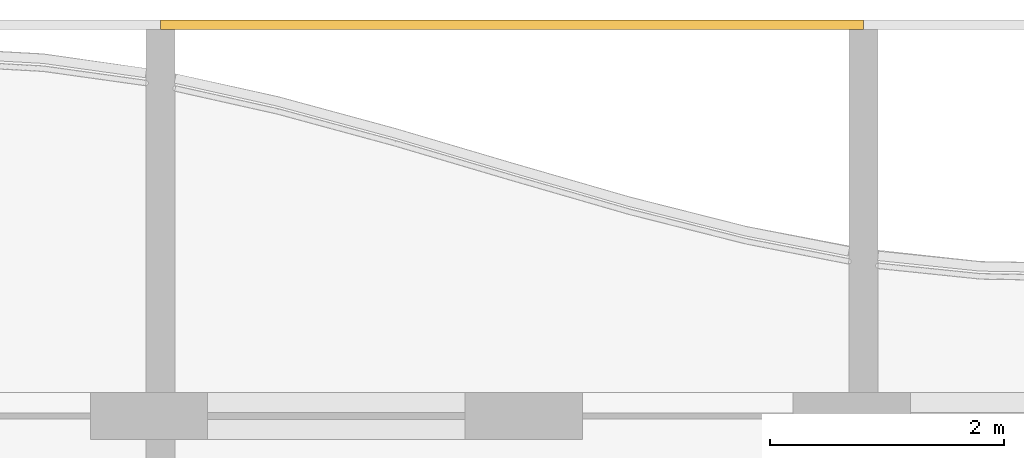
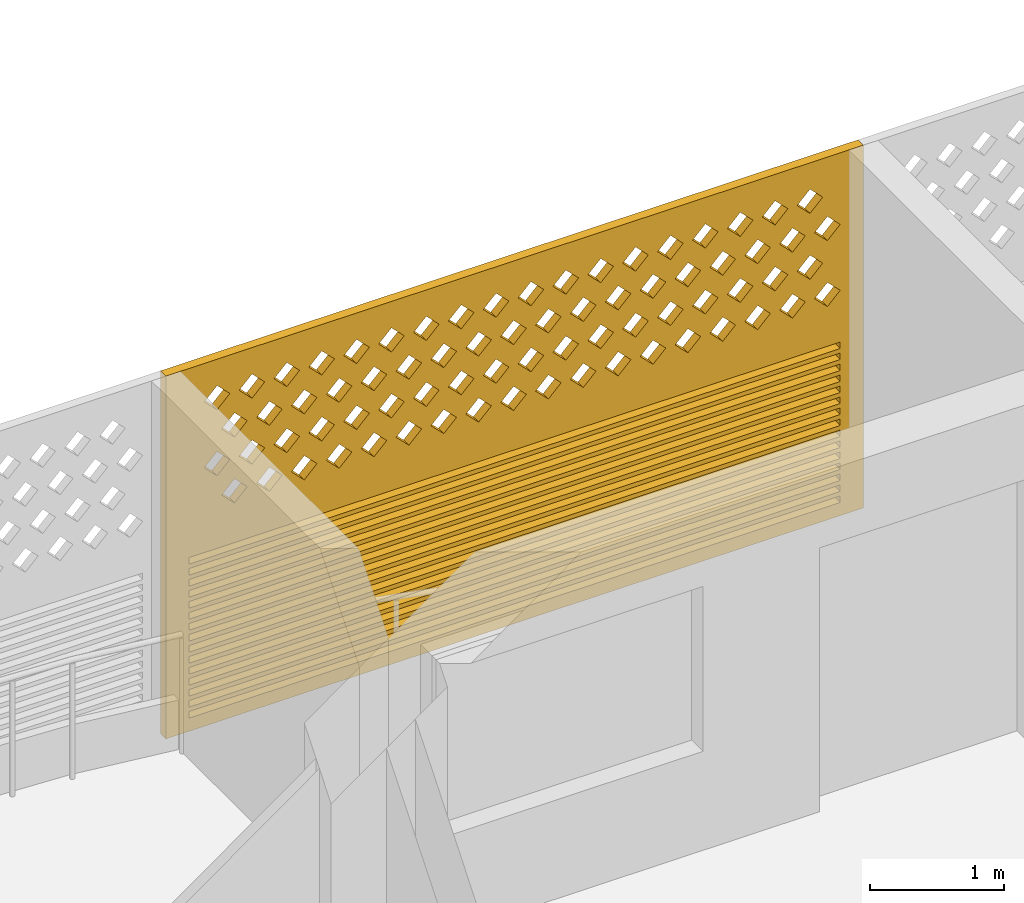
# One storey, part 27 of 29: 1 covering.
"""IFC4 building model written with IfcOpenShell, lengths in metres."""

from ifc_helpers import new_model, si_unit, direction, frame, origin, place, context, subcontext, project, spatial, polyline, outline, extrude, source, transform, mapped, material, material_profile, profile_set, type_object, element, save


model = new_model("IFC4")

# Units and contexts
model_context = context("Model", 3, precision=1e-05, world=origin(), true_north=direction((0.0, 1.0)))
body_context = subcontext(model_context, "Body", "Model", "MODEL_VIEW")
ifc_project = project(units=[si_unit("LENGTHUNIT", "METRE"), si_unit("AREAUNIT", "SQUARE_METRE"), si_unit("VOLUMEUNIT", "CUBIC_METRE"), si_unit("PLANEANGLEUNIT", "RADIAN"), si_unit("MASSUNIT", "GRAM", prefix="KILO")], contexts=[model_context])

# Site, building, storey
site_placement = place(None, origin())
site = spatial("IfcSite", under=ifc_project, at=site_placement, CompositionType="ELEMENT")
building_placement = place(site_placement, origin())
building = spatial("IfcBuilding", under=site, at=building_placement, Name="Poui Terraces", CompositionType="ELEMENT")
storey_placement = place(building_placement, frame((0.0, 0.0, 237.89990234375)))
storey = spatial("IfcBuildingStorey", under=building, at=storey_placement, Name="L66", CompositionType="ELEMENT", Elevation=237.89990234375)

# Covering
ifc_material = material(Name="Terracotta screen", Category="masonry")
ifc_material_profile = material_profile(ifc_material, outline(polyline([(-3.0, -1.64990234375), (3.0, -1.64990234375), (3.0, 1.64990234375), (-3.0, 1.64990234375), (-3.0, -1.64990234375)]), holes=[polyline([(-2.800048828125, 0.39990234375), (-2.68994140625, 0.2900390625), (-2.580078125, 0.39990234375), (-2.68994140625, 0.510009765625), (-2.800048828125, 0.39990234375)]), polyline([(-2.5, 0.39990234375), (-2.389892578125, 0.2900390625), (-2.280029296875, 0.39990234375), (-2.389892578125, 0.510009765625), (-2.5, 0.39990234375)]), polyline([(-2.199951171875, 0.39990234375), (-2.090087890625, 0.2900390625), (-1.97998046875, 0.39990234375), (-2.090087890625, 0.510009765625), (-2.199951171875, 0.39990234375)]), polyline([(-1.89990234375, 0.39990234375), (-1.7900390625, 0.2900390625), (-1.679931640625, 0.39990234375), (-1.7900390625, 0.510009765625), (-1.89990234375, 0.39990234375)]), polyline([(-1.60009765625, 0.39990234375), (-1.489990234375, 0.2900390625), (-1.3798828125, 0.39990234375), (-1.489990234375, 0.510009765625), (-1.60009765625, 0.39990234375)]), polyline([(-1.300048828125, 0.39990234375), (-1.18994140625, 0.2900390625), (-1.080078125, 0.39990234375), (-1.18994140625, 0.510009765625), (-1.300048828125, 0.39990234375)]), polyline([(-1.0, 0.39990234375), (-0.889892578125, 0.2900390625), (-0.780029296875, 0.39990234375), (-0.889892578125, 0.510009765625), (-1.0, 0.39990234375)]), polyline([(-0.699951171875, 0.39990234375), (-0.590087890625, 0.2900390625), (-0.47998046875, 0.39990234375), (-0.590087890625, 0.510009765625), (-0.699951171875, 0.39990234375)]), polyline([(-0.39990234375, 0.39990234375), (-0.2900390625, 0.2900390625), (-0.179931640625, 0.39990234375), (-0.2900390625, 0.510009765625), (-0.39990234375, 0.39990234375)]), polyline([(-0.10009765625, 0.39990234375), (0.010009765625, 0.2900390625), (0.1201171875, 0.39990234375), (0.010009765625, 0.510009765625), (-0.10009765625, 0.39990234375)]), polyline([(0.199951171875, 0.39990234375), (0.31005859375, 0.2900390625), (0.419921875, 0.39990234375), (0.31005859375, 0.510009765625), (0.199951171875, 0.39990234375)]), polyline([(0.5, 0.39990234375), (0.610107421875, 0.2900390625), (0.719970703125, 0.39990234375), (0.610107421875, 0.510009765625), (0.5, 0.39990234375)]), polyline([(0.800048828125, 0.39990234375), (0.909912109375, 0.2900390625), (1.02001953125, 0.39990234375), (0.909912109375, 0.510009765625), (0.800048828125, 0.39990234375)]), polyline([(1.10009765625, 0.39990234375), (1.2099609375, 0.2900390625), (1.320068359375, 0.39990234375), (1.2099609375, 0.510009765625), (1.10009765625, 0.39990234375)]), polyline([(1.39990234375, 0.39990234375), (1.510009765625, 0.2900390625), (1.6201171875, 0.39990234375), (1.510009765625, 0.510009765625), (1.39990234375, 0.39990234375)]), polyline([(1.699951171875, 0.39990234375), (1.81005859375, 0.2900390625), (1.919921875, 0.39990234375), (1.81005859375, 0.510009765625), (1.699951171875, 0.39990234375)]), polyline([(2.0, 0.39990234375), (2.110107421875, 0.2900390625), (2.219970703125, 0.39990234375), (2.110107421875, 0.510009765625), (2.0, 0.39990234375)]), polyline([(2.300048828125, 0.39990234375), (2.409912109375, 0.2900390625), (2.52001953125, 0.39990234375), (2.409912109375, 0.510009765625), (2.300048828125, 0.39990234375)]), polyline([(-2.64990234375, 0.699951171875), (-2.5400390625, 0.590087890625), (-2.429931640625, 0.699951171875), (-2.5400390625, 0.81005859375), (-2.64990234375, 0.699951171875)]), polyline([(-2.35009765625, 0.699951171875), (-2.239990234375, 0.590087890625), (-2.1298828125, 0.699951171875), (-2.239990234375, 0.81005859375), (-2.35009765625, 0.699951171875)]), polyline([(-2.050048828125, 0.699951171875), (-1.93994140625, 0.590087890625), (-1.830078125, 0.699951171875), (-1.93994140625, 0.81005859375), (-2.050048828125, 0.699951171875)]), polyline([(-1.75, 0.699951171875), (-1.639892578125, 0.590087890625), (-1.530029296875, 0.699951171875), (-1.639892578125, 0.81005859375), (-1.75, 0.699951171875)]), polyline([(-1.449951171875, 0.699951171875), (-1.340087890625, 0.590087890625), (-1.22998046875, 0.699951171875), (-1.340087890625, 0.81005859375), (-1.449951171875, 0.699951171875)]), polyline([(-1.14990234375, 0.699951171875), (-1.0400390625, 0.590087890625), (-0.929931640625, 0.699951171875), (-1.0400390625, 0.81005859375), (-1.14990234375, 0.699951171875)]), polyline([(-0.85009765625, 0.699951171875), (-0.739990234375, 0.590087890625), (-0.6298828125, 0.699951171875), (-0.739990234375, 0.81005859375), (-0.85009765625, 0.699951171875)]), polyline([(-0.550048828125, 0.699951171875), (-0.43994140625, 0.590087890625), (-0.330078125, 0.699951171875), (-0.43994140625, 0.81005859375), (-0.550048828125, 0.699951171875)]), polyline([(-0.25, 0.699951171875), (-0.139892578125, 0.590087890625), (-0.030029296875, 0.699951171875), (-0.139892578125, 0.81005859375), (-0.25, 0.699951171875)]), polyline([(0.050048828125, 0.699951171875), (0.159912109375, 0.590087890625), (0.27001953125, 0.699951171875), (0.159912109375, 0.81005859375), (0.050048828125, 0.699951171875)]), polyline([(0.35009765625, 0.699951171875), (0.4599609375, 0.590087890625), (0.570068359375, 0.699951171875), (0.4599609375, 0.81005859375), (0.35009765625, 0.699951171875)]), polyline([(0.64990234375, 0.699951171875), (0.760009765625, 0.590087890625), (0.8701171875, 0.699951171875), (0.760009765625, 0.81005859375), (0.64990234375, 0.699951171875)]), polyline([(0.949951171875, 0.699951171875), (1.06005859375, 0.590087890625), (1.169921875, 0.699951171875), (1.06005859375, 0.81005859375), (0.949951171875, 0.699951171875)]), polyline([(1.25, 0.699951171875), (1.360107421875, 0.590087890625), (1.469970703125, 0.699951171875), (1.360107421875, 0.81005859375), (1.25, 0.699951171875)]), polyline([(1.550048828125, 0.699951171875), (1.659912109375, 0.590087890625), (1.77001953125, 0.699951171875), (1.659912109375, 0.81005859375), (1.550048828125, 0.699951171875)]), polyline([(1.85009765625, 0.699951171875), (1.9599609375, 0.590087890625), (2.070068359375, 0.699951171875), (1.9599609375, 0.81005859375), (1.85009765625, 0.699951171875)]), polyline([(2.14990234375, 0.699951171875), (2.260009765625, 0.590087890625), (2.3701171875, 0.699951171875), (2.260009765625, 0.81005859375), (2.14990234375, 0.699951171875)]), polyline([(2.449951171875, 0.699951171875), (2.56005859375, 0.590087890625), (2.669921875, 0.699951171875), (2.56005859375, 0.81005859375), (2.449951171875, 0.699951171875)]), polyline([(-2.800048828125, 1.0), (-2.68994140625, 0.889892578125), (-2.580078125, 1.0), (-2.68994140625, 1.110107421875), (-2.800048828125, 1.0)]), polyline([(-2.5, 1.0), (-2.389892578125, 0.889892578125), (-2.280029296875, 1.0), (-2.389892578125, 1.110107421875), (-2.5, 1.0)]), polyline([(-2.199951171875, 1.0), (-2.090087890625, 0.889892578125), (-1.97998046875, 1.0), (-2.090087890625, 1.110107421875), (-2.199951171875, 1.0)]), polyline([(-1.89990234375, 1.0), (-1.7900390625, 0.889892578125), (-1.679931640625, 1.0), (-1.7900390625, 1.110107421875), (-1.89990234375, 1.0)]), polyline([(-1.60009765625, 1.0), (-1.489990234375, 0.889892578125), (-1.3798828125, 1.0), (-1.489990234375, 1.110107421875), (-1.60009765625, 1.0)]), polyline([(-1.300048828125, 1.0), (-1.18994140625, 0.889892578125), (-1.080078125, 1.0), (-1.18994140625, 1.110107421875), (-1.300048828125, 1.0)]), polyline([(-1.0, 1.0), (-0.889892578125, 0.889892578125), (-0.780029296875, 1.0), (-0.889892578125, 1.110107421875), (-1.0, 1.0)]), polyline([(-0.699951171875, 1.0), (-0.590087890625, 0.889892578125), (-0.47998046875, 1.0), (-0.590087890625, 1.110107421875), (-0.699951171875, 1.0)]), polyline([(-0.39990234375, 1.0), (-0.2900390625, 0.889892578125), (-0.179931640625, 1.0), (-0.2900390625, 1.110107421875), (-0.39990234375, 1.0)]), polyline([(-0.10009765625, 1.0), (0.010009765625, 0.889892578125), (0.1201171875, 1.0), (0.010009765625, 1.110107421875), (-0.10009765625, 1.0)]), polyline([(0.199951171875, 1.0), (0.31005859375, 0.889892578125), (0.419921875, 1.0), (0.31005859375, 1.110107421875), (0.199951171875, 1.0)]), polyline([(0.5, 1.0), (0.610107421875, 0.889892578125), (0.719970703125, 1.0), (0.610107421875, 1.110107421875), (0.5, 1.0)]), polyline([(0.800048828125, 1.0), (0.909912109375, 0.889892578125), (1.02001953125, 1.0), (0.909912109375, 1.110107421875), (0.800048828125, 1.0)]), polyline([(1.10009765625, 1.0), (1.2099609375, 0.889892578125), (1.320068359375, 1.0), (1.2099609375, 1.110107421875), (1.10009765625, 1.0)]), polyline([(1.39990234375, 1.0), (1.510009765625, 0.889892578125), (1.6201171875, 1.0), (1.510009765625, 1.110107421875), (1.39990234375, 1.0)]), polyline([(1.699951171875, 1.0), (1.81005859375, 0.889892578125), (1.919921875, 1.0), (1.81005859375, 1.110107421875), (1.699951171875, 1.0)]), polyline([(2.0, 1.0), (2.110107421875, 0.889892578125), (2.219970703125, 1.0), (2.110107421875, 1.110107421875), (2.0, 1.0)]), polyline([(2.300048828125, 1.0), (2.409912109375, 0.889892578125), (2.52001953125, 1.0), (2.409912109375, 1.110107421875), (2.300048828125, 1.0)]), polyline([(-2.64990234375, 1.300048828125), (-2.5400390625, 1.18994140625), (-2.429931640625, 1.300048828125), (-2.5400390625, 1.409912109375), (-2.64990234375, 1.300048828125)]), polyline([(-2.35009765625, 1.300048828125), (-2.239990234375, 1.18994140625), (-2.1298828125, 1.300048828125), (-2.239990234375, 1.409912109375), (-2.35009765625, 1.300048828125)]), polyline([(-2.050048828125, 1.300048828125), (-1.93994140625, 1.18994140625), (-1.830078125, 1.300048828125), (-1.93994140625, 1.409912109375), (-2.050048828125, 1.300048828125)]), polyline([(-1.75, 1.300048828125), (-1.639892578125, 1.18994140625), (-1.530029296875, 1.300048828125), (-1.639892578125, 1.409912109375), (-1.75, 1.300048828125)]), polyline([(-1.449951171875, 1.300048828125), (-1.340087890625, 1.18994140625), (-1.22998046875, 1.300048828125), (-1.340087890625, 1.409912109375), (-1.449951171875, 1.300048828125)]), polyline([(-1.14990234375, 1.300048828125), (-1.0400390625, 1.18994140625), (-0.929931640625, 1.300048828125), (-1.0400390625, 1.409912109375), (-1.14990234375, 1.300048828125)]), polyline([(-0.85009765625, 1.300048828125), (-0.739990234375, 1.18994140625), (-0.6298828125, 1.300048828125), (-0.739990234375, 1.409912109375), (-0.85009765625, 1.300048828125)]), polyline([(-0.550048828125, 1.300048828125), (-0.43994140625, 1.18994140625), (-0.330078125, 1.300048828125), (-0.43994140625, 1.409912109375), (-0.550048828125, 1.300048828125)]), polyline([(-0.25, 1.300048828125), (-0.139892578125, 1.18994140625), (-0.030029296875, 1.300048828125), (-0.139892578125, 1.409912109375), (-0.25, 1.300048828125)]), polyline([(0.050048828125, 1.300048828125), (0.159912109375, 1.18994140625), (0.27001953125, 1.300048828125), (0.159912109375, 1.409912109375), (0.050048828125, 1.300048828125)]), polyline([(0.35009765625, 1.300048828125), (0.4599609375, 1.18994140625), (0.570068359375, 1.300048828125), (0.4599609375, 1.409912109375), (0.35009765625, 1.300048828125)]), polyline([(0.64990234375, 1.300048828125), (0.760009765625, 1.18994140625), (0.8701171875, 1.300048828125), (0.760009765625, 1.409912109375), (0.64990234375, 1.300048828125)]), polyline([(0.949951171875, 1.300048828125), (1.06005859375, 1.18994140625), (1.169921875, 1.300048828125), (1.06005859375, 1.409912109375), (0.949951171875, 1.300048828125)]), polyline([(1.25, 1.300048828125), (1.360107421875, 1.18994140625), (1.469970703125, 1.300048828125), (1.360107421875, 1.409912109375), (1.25, 1.300048828125)]), polyline([(1.550048828125, 1.300048828125), (1.659912109375, 1.18994140625), (1.77001953125, 1.300048828125), (1.659912109375, 1.409912109375), (1.550048828125, 1.300048828125)]), polyline([(1.85009765625, 1.300048828125), (1.9599609375, 1.18994140625), (2.070068359375, 1.300048828125), (1.9599609375, 1.409912109375), (1.85009765625, 1.300048828125)]), polyline([(2.14990234375, 1.300048828125), (2.260009765625, 1.18994140625), (2.3701171875, 1.300048828125), (2.260009765625, 1.409912109375), (2.14990234375, 1.300048828125)]), polyline([(2.449951171875, 1.300048828125), (2.56005859375, 1.18994140625), (2.669921875, 1.300048828125), (2.56005859375, 1.409912109375), (2.449951171875, 1.300048828125)]), polyline([(-2.800048828125, -1.530029296875), (2.800048828125, -1.530029296875), (2.800048828125, -1.469970703125), (-2.800048828125, -1.469970703125), (-2.800048828125, -1.530029296875)]), polyline([(-2.800048828125, -1.429931640625), (2.800048828125, -1.429931640625), (2.800048828125, -1.3701171875), (-2.800048828125, -1.3701171875), (-2.800048828125, -1.429931640625)]), polyline([(-2.800048828125, -1.330078125), (2.800048828125, -1.330078125), (2.800048828125, -1.27001953125), (-2.800048828125, -1.27001953125), (-2.800048828125, -1.330078125)]), polyline([(-2.800048828125, -1.22998046875), (2.800048828125, -1.22998046875), (2.800048828125, -1.169921875), (-2.800048828125, -1.169921875), (-2.800048828125, -1.22998046875)]), polyline([(-2.800048828125, -1.1298828125), (2.800048828125, -1.1298828125), (2.800048828125, -1.070068359375), (-2.800048828125, -1.070068359375), (-2.800048828125, -1.1298828125)]), polyline([(-2.800048828125, -1.030029296875), (2.800048828125, -1.030029296875), (2.800048828125, -0.969970703125), (-2.800048828125, -0.969970703125), (-2.800048828125, -1.030029296875)]), polyline([(-2.800048828125, -0.929931640625), (2.800048828125, -0.929931640625), (2.800048828125, -0.8701171875), (-2.800048828125, -0.8701171875), (-2.800048828125, -0.929931640625)]), polyline([(-2.800048828125, -0.830078125), (2.800048828125, -0.830078125), (2.800048828125, -0.77001953125), (-2.800048828125, -0.77001953125), (-2.800048828125, -0.830078125)]), polyline([(-2.800048828125, -0.72998046875), (2.800048828125, -0.72998046875), (2.800048828125, -0.669921875), (-2.800048828125, -0.669921875), (-2.800048828125, -0.72998046875)]), polyline([(-2.800048828125, -0.6298828125), (2.800048828125, -0.6298828125), (2.800048828125, -0.570068359375), (-2.800048828125, -0.570068359375), (-2.800048828125, -0.6298828125)]), polyline([(-2.800048828125, -0.530029296875), (2.800048828125, -0.530029296875), (2.800048828125, -0.469970703125), (-2.800048828125, -0.469970703125), (-2.800048828125, -0.530029296875)]), polyline([(-2.800048828125, -0.429931640625), (2.800048828125, -0.429931640625), (2.800048828125, -0.3701171875), (-2.800048828125, -0.3701171875), (-2.800048828125, -0.429931640625)]), polyline([(-2.800048828125, -0.330078125), (2.800048828125, -0.330078125), (2.800048828125, -0.27001953125), (-2.800048828125, -0.27001953125), (-2.800048828125, -0.330078125)]), polyline([(-2.800048828125, -0.22998046875), (2.800048828125, -0.22998046875), (2.800048828125, -0.169921875), (-2.800048828125, -0.169921875), (-2.800048828125, -0.22998046875)]), polyline([(-2.800048828125, -0.1298828125), (2.800048828125, -0.1298828125), (2.800048828125, -0.070068359375), (-2.800048828125, -0.070068359375), (-2.800048828125, -0.1298828125)])]), Name="TERRACOTTA SCREEN AND JALOUSIE LOUVRE 6000X3300")
ifc_profile_set = profile_set([ifc_material_profile], Name="Terracotta screen")
covering_type = type_object("IfcCoveringType", Name="TERRACOTTA SCREEN AND JALOUSIE LOUVRE 6000X3300", PredefinedType="CLADDING", material=ifc_profile_set)
shared_shape = source(origin(), body_context, "Body", "SweptSolid", [
    extrude(outline(polyline([(-3.0, -1.64990234375), (3.0, -1.64990234375), (3.0, 1.64990234375), (-3.0, 1.64990234375), (-3.0, -1.64990234375)]), holes=[polyline([(-2.800048828125, 0.39990234375), (-2.68994140625, 0.2900390625), (-2.580078125, 0.39990234375), (-2.68994140625, 0.510009765625), (-2.800048828125, 0.39990234375)]), polyline([(-2.5, 0.39990234375), (-2.389892578125, 0.2900390625), (-2.280029296875, 0.39990234375), (-2.389892578125, 0.510009765625), (-2.5, 0.39990234375)]), polyline([(-2.199951171875, 0.39990234375), (-2.090087890625, 0.2900390625), (-1.97998046875, 0.39990234375), (-2.090087890625, 0.510009765625), (-2.199951171875, 0.39990234375)]), polyline([(-1.89990234375, 0.39990234375), (-1.7900390625, 0.2900390625), (-1.679931640625, 0.39990234375), (-1.7900390625, 0.510009765625), (-1.89990234375, 0.39990234375)]), polyline([(-1.60009765625, 0.39990234375), (-1.489990234375, 0.2900390625), (-1.3798828125, 0.39990234375), (-1.489990234375, 0.510009765625), (-1.60009765625, 0.39990234375)]), polyline([(-1.300048828125, 0.39990234375), (-1.18994140625, 0.2900390625), (-1.080078125, 0.39990234375), (-1.18994140625, 0.510009765625), (-1.300048828125, 0.39990234375)]), polyline([(-1.0, 0.39990234375), (-0.889892578125, 0.2900390625), (-0.780029296875, 0.39990234375), (-0.889892578125, 0.510009765625), (-1.0, 0.39990234375)]), polyline([(-0.699951171875, 0.39990234375), (-0.590087890625, 0.2900390625), (-0.47998046875, 0.39990234375), (-0.590087890625, 0.510009765625), (-0.699951171875, 0.39990234375)]), polyline([(-0.39990234375, 0.39990234375), (-0.2900390625, 0.2900390625), (-0.179931640625, 0.39990234375), (-0.2900390625, 0.510009765625), (-0.39990234375, 0.39990234375)]), polyline([(-0.10009765625, 0.39990234375), (0.010009765625, 0.2900390625), (0.1201171875, 0.39990234375), (0.010009765625, 0.510009765625), (-0.10009765625, 0.39990234375)]), polyline([(0.199951171875, 0.39990234375), (0.31005859375, 0.2900390625), (0.419921875, 0.39990234375), (0.31005859375, 0.510009765625), (0.199951171875, 0.39990234375)]), polyline([(0.5, 0.39990234375), (0.610107421875, 0.2900390625), (0.719970703125, 0.39990234375), (0.610107421875, 0.510009765625), (0.5, 0.39990234375)]), polyline([(0.800048828125, 0.39990234375), (0.909912109375, 0.2900390625), (1.02001953125, 0.39990234375), (0.909912109375, 0.510009765625), (0.800048828125, 0.39990234375)]), polyline([(1.10009765625, 0.39990234375), (1.2099609375, 0.2900390625), (1.320068359375, 0.39990234375), (1.2099609375, 0.510009765625), (1.10009765625, 0.39990234375)]), polyline([(1.39990234375, 0.39990234375), (1.510009765625, 0.2900390625), (1.6201171875, 0.39990234375), (1.510009765625, 0.510009765625), (1.39990234375, 0.39990234375)]), polyline([(1.699951171875, 0.39990234375), (1.81005859375, 0.2900390625), (1.919921875, 0.39990234375), (1.81005859375, 0.510009765625), (1.699951171875, 0.39990234375)]), polyline([(2.0, 0.39990234375), (2.110107421875, 0.2900390625), (2.219970703125, 0.39990234375), (2.110107421875, 0.510009765625), (2.0, 0.39990234375)]), polyline([(2.300048828125, 0.39990234375), (2.409912109375, 0.2900390625), (2.52001953125, 0.39990234375), (2.409912109375, 0.510009765625), (2.300048828125, 0.39990234375)]), polyline([(-2.64990234375, 0.699951171875), (-2.5400390625, 0.590087890625), (-2.429931640625, 0.699951171875), (-2.5400390625, 0.81005859375), (-2.64990234375, 0.699951171875)]), polyline([(-2.35009765625, 0.699951171875), (-2.239990234375, 0.590087890625), (-2.1298828125, 0.699951171875), (-2.239990234375, 0.81005859375), (-2.35009765625, 0.699951171875)]), polyline([(-2.050048828125, 0.699951171875), (-1.93994140625, 0.590087890625), (-1.830078125, 0.699951171875), (-1.93994140625, 0.81005859375), (-2.050048828125, 0.699951171875)]), polyline([(-1.75, 0.699951171875), (-1.639892578125, 0.590087890625), (-1.530029296875, 0.699951171875), (-1.639892578125, 0.81005859375), (-1.75, 0.699951171875)]), polyline([(-1.449951171875, 0.699951171875), (-1.340087890625, 0.590087890625), (-1.22998046875, 0.699951171875), (-1.340087890625, 0.81005859375), (-1.449951171875, 0.699951171875)]), polyline([(-1.14990234375, 0.699951171875), (-1.0400390625, 0.590087890625), (-0.929931640625, 0.699951171875), (-1.0400390625, 0.81005859375), (-1.14990234375, 0.699951171875)]), polyline([(-0.85009765625, 0.699951171875), (-0.739990234375, 0.590087890625), (-0.6298828125, 0.699951171875), (-0.739990234375, 0.81005859375), (-0.85009765625, 0.699951171875)]), polyline([(-0.550048828125, 0.699951171875), (-0.43994140625, 0.590087890625), (-0.330078125, 0.699951171875), (-0.43994140625, 0.81005859375), (-0.550048828125, 0.699951171875)]), polyline([(-0.25, 0.699951171875), (-0.139892578125, 0.590087890625), (-0.030029296875, 0.699951171875), (-0.139892578125, 0.81005859375), (-0.25, 0.699951171875)]), polyline([(0.050048828125, 0.699951171875), (0.159912109375, 0.590087890625), (0.27001953125, 0.699951171875), (0.159912109375, 0.81005859375), (0.050048828125, 0.699951171875)]), polyline([(0.35009765625, 0.699951171875), (0.4599609375, 0.590087890625), (0.570068359375, 0.699951171875), (0.4599609375, 0.81005859375), (0.35009765625, 0.699951171875)]), polyline([(0.64990234375, 0.699951171875), (0.760009765625, 0.590087890625), (0.8701171875, 0.699951171875), (0.760009765625, 0.81005859375), (0.64990234375, 0.699951171875)]), polyline([(0.949951171875, 0.699951171875), (1.06005859375, 0.590087890625), (1.169921875, 0.699951171875), (1.06005859375, 0.81005859375), (0.949951171875, 0.699951171875)]), polyline([(1.25, 0.699951171875), (1.360107421875, 0.590087890625), (1.469970703125, 0.699951171875), (1.360107421875, 0.81005859375), (1.25, 0.699951171875)]), polyline([(1.550048828125, 0.699951171875), (1.659912109375, 0.590087890625), (1.77001953125, 0.699951171875), (1.659912109375, 0.81005859375), (1.550048828125, 0.699951171875)]), polyline([(1.85009765625, 0.699951171875), (1.9599609375, 0.590087890625), (2.070068359375, 0.699951171875), (1.9599609375, 0.81005859375), (1.85009765625, 0.699951171875)]), polyline([(2.14990234375, 0.699951171875), (2.260009765625, 0.590087890625), (2.3701171875, 0.699951171875), (2.260009765625, 0.81005859375), (2.14990234375, 0.699951171875)]), polyline([(2.449951171875, 0.699951171875), (2.56005859375, 0.590087890625), (2.669921875, 0.699951171875), (2.56005859375, 0.81005859375), (2.449951171875, 0.699951171875)]), polyline([(-2.800048828125, 1.0), (-2.68994140625, 0.889892578125), (-2.580078125, 1.0), (-2.68994140625, 1.110107421875), (-2.800048828125, 1.0)]), polyline([(-2.5, 1.0), (-2.389892578125, 0.889892578125), (-2.280029296875, 1.0), (-2.389892578125, 1.110107421875), (-2.5, 1.0)]), polyline([(-2.199951171875, 1.0), (-2.090087890625, 0.889892578125), (-1.97998046875, 1.0), (-2.090087890625, 1.110107421875), (-2.199951171875, 1.0)]), polyline([(-1.89990234375, 1.0), (-1.7900390625, 0.889892578125), (-1.679931640625, 1.0), (-1.7900390625, 1.110107421875), (-1.89990234375, 1.0)]), polyline([(-1.60009765625, 1.0), (-1.489990234375, 0.889892578125), (-1.3798828125, 1.0), (-1.489990234375, 1.110107421875), (-1.60009765625, 1.0)]), polyline([(-1.300048828125, 1.0), (-1.18994140625, 0.889892578125), (-1.080078125, 1.0), (-1.18994140625, 1.110107421875), (-1.300048828125, 1.0)]), polyline([(-1.0, 1.0), (-0.889892578125, 0.889892578125), (-0.780029296875, 1.0), (-0.889892578125, 1.110107421875), (-1.0, 1.0)]), polyline([(-0.699951171875, 1.0), (-0.590087890625, 0.889892578125), (-0.47998046875, 1.0), (-0.590087890625, 1.110107421875), (-0.699951171875, 1.0)]), polyline([(-0.39990234375, 1.0), (-0.2900390625, 0.889892578125), (-0.179931640625, 1.0), (-0.2900390625, 1.110107421875), (-0.39990234375, 1.0)]), polyline([(-0.10009765625, 1.0), (0.010009765625, 0.889892578125), (0.1201171875, 1.0), (0.010009765625, 1.110107421875), (-0.10009765625, 1.0)]), polyline([(0.199951171875, 1.0), (0.31005859375, 0.889892578125), (0.419921875, 1.0), (0.31005859375, 1.110107421875), (0.199951171875, 1.0)]), polyline([(0.5, 1.0), (0.610107421875, 0.889892578125), (0.719970703125, 1.0), (0.610107421875, 1.110107421875), (0.5, 1.0)]), polyline([(0.800048828125, 1.0), (0.909912109375, 0.889892578125), (1.02001953125, 1.0), (0.909912109375, 1.110107421875), (0.800048828125, 1.0)]), polyline([(1.10009765625, 1.0), (1.2099609375, 0.889892578125), (1.320068359375, 1.0), (1.2099609375, 1.110107421875), (1.10009765625, 1.0)]), polyline([(1.39990234375, 1.0), (1.510009765625, 0.889892578125), (1.6201171875, 1.0), (1.510009765625, 1.110107421875), (1.39990234375, 1.0)]), polyline([(1.699951171875, 1.0), (1.81005859375, 0.889892578125), (1.919921875, 1.0), (1.81005859375, 1.110107421875), (1.699951171875, 1.0)]), polyline([(2.0, 1.0), (2.110107421875, 0.889892578125), (2.219970703125, 1.0), (2.110107421875, 1.110107421875), (2.0, 1.0)]), polyline([(2.300048828125, 1.0), (2.409912109375, 0.889892578125), (2.52001953125, 1.0), (2.409912109375, 1.110107421875), (2.300048828125, 1.0)]), polyline([(-2.64990234375, 1.300048828125), (-2.5400390625, 1.18994140625), (-2.429931640625, 1.300048828125), (-2.5400390625, 1.409912109375), (-2.64990234375, 1.300048828125)]), polyline([(-2.35009765625, 1.300048828125), (-2.239990234375, 1.18994140625), (-2.1298828125, 1.300048828125), (-2.239990234375, 1.409912109375), (-2.35009765625, 1.300048828125)]), polyline([(-2.050048828125, 1.300048828125), (-1.93994140625, 1.18994140625), (-1.830078125, 1.300048828125), (-1.93994140625, 1.409912109375), (-2.050048828125, 1.300048828125)]), polyline([(-1.75, 1.300048828125), (-1.639892578125, 1.18994140625), (-1.530029296875, 1.300048828125), (-1.639892578125, 1.409912109375), (-1.75, 1.300048828125)]), polyline([(-1.449951171875, 1.300048828125), (-1.340087890625, 1.18994140625), (-1.22998046875, 1.300048828125), (-1.340087890625, 1.409912109375), (-1.449951171875, 1.300048828125)]), polyline([(-1.14990234375, 1.300048828125), (-1.0400390625, 1.18994140625), (-0.929931640625, 1.300048828125), (-1.0400390625, 1.409912109375), (-1.14990234375, 1.300048828125)]), polyline([(-0.85009765625, 1.300048828125), (-0.739990234375, 1.18994140625), (-0.6298828125, 1.300048828125), (-0.739990234375, 1.409912109375), (-0.85009765625, 1.300048828125)]), polyline([(-0.550048828125, 1.300048828125), (-0.43994140625, 1.18994140625), (-0.330078125, 1.300048828125), (-0.43994140625, 1.409912109375), (-0.550048828125, 1.300048828125)]), polyline([(-0.25, 1.300048828125), (-0.139892578125, 1.18994140625), (-0.030029296875, 1.300048828125), (-0.139892578125, 1.409912109375), (-0.25, 1.300048828125)]), polyline([(0.050048828125, 1.300048828125), (0.159912109375, 1.18994140625), (0.27001953125, 1.300048828125), (0.159912109375, 1.409912109375), (0.050048828125, 1.300048828125)]), polyline([(0.35009765625, 1.300048828125), (0.4599609375, 1.18994140625), (0.570068359375, 1.300048828125), (0.4599609375, 1.409912109375), (0.35009765625, 1.300048828125)]), polyline([(0.64990234375, 1.300048828125), (0.760009765625, 1.18994140625), (0.8701171875, 1.300048828125), (0.760009765625, 1.409912109375), (0.64990234375, 1.300048828125)]), polyline([(0.949951171875, 1.300048828125), (1.06005859375, 1.18994140625), (1.169921875, 1.300048828125), (1.06005859375, 1.409912109375), (0.949951171875, 1.300048828125)]), polyline([(1.25, 1.300048828125), (1.360107421875, 1.18994140625), (1.469970703125, 1.300048828125), (1.360107421875, 1.409912109375), (1.25, 1.300048828125)]), polyline([(1.550048828125, 1.300048828125), (1.659912109375, 1.18994140625), (1.77001953125, 1.300048828125), (1.659912109375, 1.409912109375), (1.550048828125, 1.300048828125)]), polyline([(1.85009765625, 1.300048828125), (1.9599609375, 1.18994140625), (2.070068359375, 1.300048828125), (1.9599609375, 1.409912109375), (1.85009765625, 1.300048828125)]), polyline([(2.14990234375, 1.300048828125), (2.260009765625, 1.18994140625), (2.3701171875, 1.300048828125), (2.260009765625, 1.409912109375), (2.14990234375, 1.300048828125)]), polyline([(2.449951171875, 1.300048828125), (2.56005859375, 1.18994140625), (2.669921875, 1.300048828125), (2.56005859375, 1.409912109375), (2.449951171875, 1.300048828125)]), polyline([(-2.800048828125, -1.530029296875), (2.800048828125, -1.530029296875), (2.800048828125, -1.469970703125), (-2.800048828125, -1.469970703125), (-2.800048828125, -1.530029296875)]), polyline([(-2.800048828125, -1.429931640625), (2.800048828125, -1.429931640625), (2.800048828125, -1.3701171875), (-2.800048828125, -1.3701171875), (-2.800048828125, -1.429931640625)]), polyline([(-2.800048828125, -1.330078125), (2.800048828125, -1.330078125), (2.800048828125, -1.27001953125), (-2.800048828125, -1.27001953125), (-2.800048828125, -1.330078125)]), polyline([(-2.800048828125, -1.22998046875), (2.800048828125, -1.22998046875), (2.800048828125, -1.169921875), (-2.800048828125, -1.169921875), (-2.800048828125, -1.22998046875)]), polyline([(-2.800048828125, -1.1298828125), (2.800048828125, -1.1298828125), (2.800048828125, -1.070068359375), (-2.800048828125, -1.070068359375), (-2.800048828125, -1.1298828125)]), polyline([(-2.800048828125, -1.030029296875), (2.800048828125, -1.030029296875), (2.800048828125, -0.969970703125), (-2.800048828125, -0.969970703125), (-2.800048828125, -1.030029296875)]), polyline([(-2.800048828125, -0.929931640625), (2.800048828125, -0.929931640625), (2.800048828125, -0.8701171875), (-2.800048828125, -0.8701171875), (-2.800048828125, -0.929931640625)]), polyline([(-2.800048828125, -0.830078125), (2.800048828125, -0.830078125), (2.800048828125, -0.77001953125), (-2.800048828125, -0.77001953125), (-2.800048828125, -0.830078125)]), polyline([(-2.800048828125, -0.72998046875), (2.800048828125, -0.72998046875), (2.800048828125, -0.669921875), (-2.800048828125, -0.669921875), (-2.800048828125, -0.72998046875)]), polyline([(-2.800048828125, -0.6298828125), (2.800048828125, -0.6298828125), (2.800048828125, -0.570068359375), (-2.800048828125, -0.570068359375), (-2.800048828125, -0.6298828125)]), polyline([(-2.800048828125, -0.530029296875), (2.800048828125, -0.530029296875), (2.800048828125, -0.469970703125), (-2.800048828125, -0.469970703125), (-2.800048828125, -0.530029296875)]), polyline([(-2.800048828125, -0.429931640625), (2.800048828125, -0.429931640625), (2.800048828125, -0.3701171875), (-2.800048828125, -0.3701171875), (-2.800048828125, -0.429931640625)]), polyline([(-2.800048828125, -0.330078125), (2.800048828125, -0.330078125), (2.800048828125, -0.27001953125), (-2.800048828125, -0.27001953125), (-2.800048828125, -0.330078125)]), polyline([(-2.800048828125, -0.22998046875), (2.800048828125, -0.22998046875), (2.800048828125, -0.169921875), (-2.800048828125, -0.169921875), (-2.800048828125, -0.22998046875)]), polyline([(-2.800048828125, -0.1298828125), (2.800048828125, -0.1298828125), (2.800048828125, -0.070068359375), (-2.800048828125, -0.070068359375), (-2.800048828125, -0.1298828125)])]), origin(), (0.0, 0.0, 1.0), 0.080078125),
])
covering_placement = place(storey_placement, frame((69.0, 44.5, 1.4501953125), z_axis=(0.0, 1.0, 0.0), x_axis=(-1.0, 0.0, 0.0)))
element("IfcCovering", 1, at=covering_placement, inside=storey, type_object=covering_type, Name="SOLAR SCREEN AND JALOUSIE LOUVRE", PredefinedType="CLADDING", context=body_context, shape_type="MappedRepresentation", body=[
    mapped(shared_shape, transform((0.0, 0.0, 0.0))),
])

save(model, "model.ifc")
